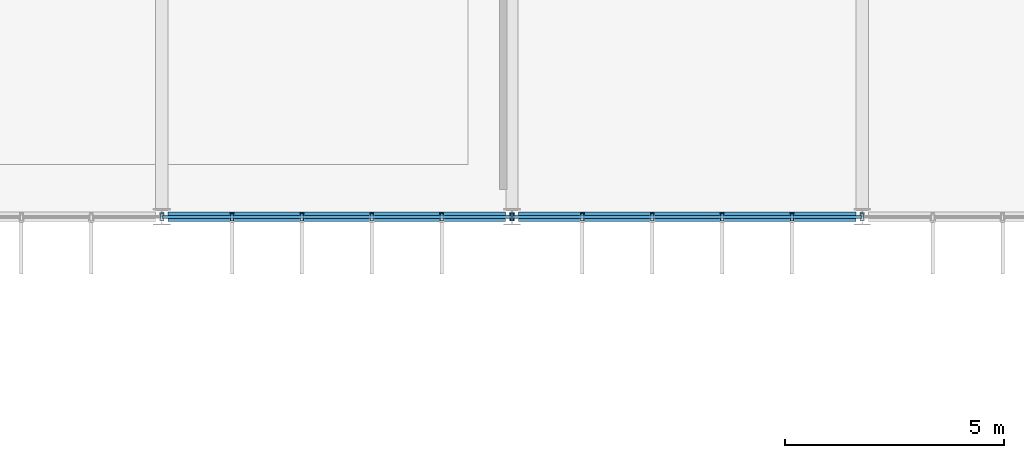
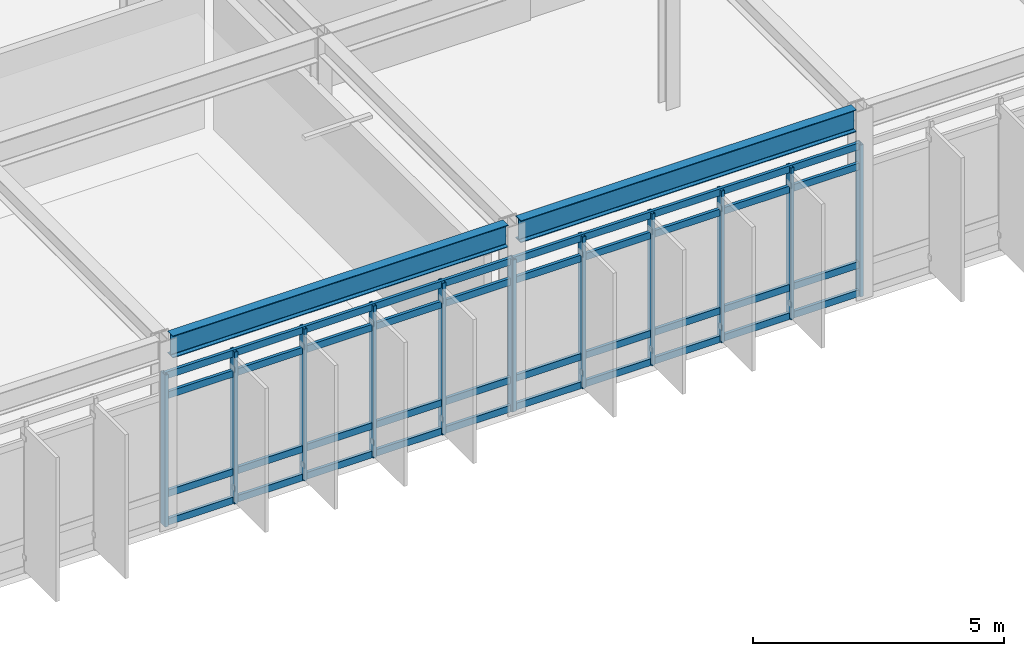
# One storey, part 42 of 100: 20 members, 2 beams, 2 elements without a shape of their own.
"""IFC4 building model written with IfcOpenShell, lengths in metres."""

from ifc_helpers import new_model, si_unit, direction, frame, origin, origin_2d, place, context, subcontext, project, spatial, hollow_rectangle, i_section, extrude, material, material_profile, profile_set, type_object, element, aggregate, save


model = new_model("IFC4")

# Units and contexts
model_context = context("Model", 3, precision=1e-05, world=origin(), true_north=direction((0.0, 1.0)))
body_context = subcontext(model_context, "Body", "Model", "MODEL_VIEW")
ifc_project = project(units=[si_unit("LENGTHUNIT", "METRE"), si_unit("AREAUNIT", "SQUARE_METRE"), si_unit("VOLUMEUNIT", "CUBIC_METRE"), si_unit("PLANEANGLEUNIT", "RADIAN"), si_unit("MASSUNIT", "GRAM", prefix="KILO")], contexts=[model_context])

# Site, building, storey
site_placement = place(None, origin())
site = spatial("IfcSite", under=ifc_project, at=site_placement, CompositionType="ELEMENT")
building_placement = place(site_placement, origin())
building = spatial("IfcBuilding", under=site, at=building_placement, Name="Zulena Civic Courthouse", CompositionType="ELEMENT")
storey_placement = place(building_placement, frame((0.0, 0.0, 20.39990234375)))
storey = spatial("IfcBuildingStorey", under=building, at=storey_placement, Name="L04", CompositionType="ELEMENT", Elevation=20.39990234375)

# Curtain wall, members
ifc_material_1 = material(Name="Double-silver low-E laminated solar-control glass", Category="glass")
curtain_wall_type = type_object("IfcCurtainWallType", Name="CW_7976x3690", PredefinedType="USERDEFINED", material=ifc_material_1)
curtain_wall_1_placement = place(storey_placement, origin())
curtain_wall_1 = element("IfcCurtainWall", 1, at=curtain_wall_1_placement, inside=storey, type_object=curtain_wall_type, Name="cw:V4:L04:3:1", ObjectType="UNITISED CURTAIN WALL", PredefinedType="USERDEFINED")
ifc_material_2 = material(Name="Bronze anodised thermally broken aluminium AA6063-T6", Category="aluminium")
ifc_material_profile_1 = material_profile(ifc_material_2, hollow_rectangle(XDim=0.074951171875, YDim=0.179931640625, WallThickness=0.0048828125, at=origin_2d()), Name="CWM180X75X5")
ifc_profile_set_1 = profile_set([ifc_material_profile_1], Name="Bronze anodised thermally broken aluminium AA6063-T6")
member_type_1 = type_object("IfcMemberType", Name="CWMullion_180x75", PredefinedType="MULLION", material=ifc_profile_set_1)
member_1_placement = place(storey_placement, frame((115.988037109375, 15.199951171875, 0.0), z_axis=(0.0, 0.0, 1.0), x_axis=(1.0, 0.0, 0.0)))
member_1 = element("IfcMember", 2, at=member_1_placement, type_object=member_type_1, Name="cw:V4:L04:3:1:mull:0", PredefinedType="MULLION", context=body_context, shape_type="SweptSolid", body=[
    extrude(hollow_rectangle(XDim=0.074951171875, YDim=0.179931640625, WallThickness=0.0048828125, at=origin_2d()), origin(), (0.0, 0.0, 1.0), 3.690185546875),
])
member_2_placement = place(storey_placement, frame((114.392822265625, 15.199951171875, 0.0), z_axis=(0.0, 0.0, 1.0), x_axis=(1.0, 0.0, 0.0)))
member_2 = element("IfcMember", 3, at=member_2_placement, type_object=member_type_1, Name="cw:V4:L04:3:1:mull:1", PredefinedType="MULLION", context=body_context, shape_type="SweptSolid", body=[
    extrude(hollow_rectangle(XDim=0.074951171875, YDim=0.179931640625, WallThickness=0.0048828125, at=origin_2d()), origin(), (0.0, 0.0, 1.0), 3.690185546875),
])
member_3_placement = place(storey_placement, frame((112.797607421875, 15.199951171875, 0.0), z_axis=(0.0, 0.0, 1.0), x_axis=(1.0, 0.0, 0.0)))
member_3 = element("IfcMember", 4, at=member_3_placement, type_object=member_type_1, Name="cw:V4:L04:3:1:mull:2", PredefinedType="MULLION", context=body_context, shape_type="SweptSolid", body=[
    extrude(hollow_rectangle(XDim=0.074951171875, YDim=0.179931640625, WallThickness=0.0048828125, at=origin_2d()), origin(), (0.0, 0.0, 1.0), 3.690185546875),
])
member_4_placement = place(storey_placement, frame((111.202392578125, 15.199951171875, 0.0), z_axis=(0.0, 0.0, 1.0), x_axis=(1.0, 0.0, 0.0)))
member_4 = element("IfcMember", 5, at=member_4_placement, type_object=member_type_1, Name="cw:V4:L04:3:1:mull:3", PredefinedType="MULLION", context=body_context, shape_type="SweptSolid", body=[
    extrude(hollow_rectangle(XDim=0.074951171875, YDim=0.179931640625, WallThickness=0.0048828125, at=origin_2d()), origin(), (0.0, 0.0, 1.0), 3.690185546875),
])
member_5_placement = place(storey_placement, frame((109.607177734375, 15.199951171875, 0.0), z_axis=(0.0, 0.0, 1.0), x_axis=(1.0, 0.0, 0.0)))
member_5 = element("IfcMember", 6, at=member_5_placement, type_object=member_type_1, Name="cw:V4:L04:3:1:mull:4", PredefinedType="MULLION", context=body_context, shape_type="SweptSolid", body=[
    extrude(hollow_rectangle(XDim=0.074951171875, YDim=0.179931640625, WallThickness=0.0048828125, at=origin_2d()), origin(), (0.0, 0.0, 1.0), 3.690185546875),
])
member_6_placement = place(storey_placement, frame((108.011962890625, 15.199951171875, 0.0), z_axis=(0.0, 0.0, 1.0), x_axis=(1.0, 0.0, 0.0)))
member_6 = element("IfcMember", 7, at=member_6_placement, type_object=member_type_1, Name="cw:V4:L04:3:1:mull:5", PredefinedType="MULLION", context=body_context, shape_type="SweptSolid", body=[
    extrude(hollow_rectangle(XDim=0.074951171875, YDim=0.179931640625, WallThickness=0.0048828125, at=origin_2d()), origin(), (0.0, 0.0, 1.0), 3.690185546875),
])

curtain_wall_2_placement = place(storey_placement, origin())
curtain_wall_2 = element("IfcCurtainWall", 8, at=curtain_wall_2_placement, inside=storey, type_object=curtain_wall_type, Name="cw:V4:L04:3:2", ObjectType="UNITISED CURTAIN WALL", PredefinedType="USERDEFINED")
member_7_placement = place(storey_placement, frame((107.988037109375, 15.199951171875, 0.0), z_axis=(0.0, 0.0, 1.0), x_axis=(1.0, 0.0, 0.0)))
member_7 = element("IfcMember", 9, at=member_7_placement, type_object=member_type_1, Name="cw:V4:L04:3:2:mull:0", PredefinedType="MULLION", context=body_context, shape_type="SweptSolid", body=[
    extrude(hollow_rectangle(XDim=0.074951171875, YDim=0.179931640625, WallThickness=0.0048828125, at=origin_2d()), origin(), (0.0, 0.0, 1.0), 3.690185546875),
])
member_8_placement = place(storey_placement, frame((106.392822265625, 15.199951171875, 0.0), z_axis=(0.0, 0.0, 1.0), x_axis=(1.0, 0.0, 0.0)))
member_8 = element("IfcMember", 10, at=member_8_placement, type_object=member_type_1, Name="cw:V4:L04:3:2:mull:1", PredefinedType="MULLION", context=body_context, shape_type="SweptSolid", body=[
    extrude(hollow_rectangle(XDim=0.074951171875, YDim=0.179931640625, WallThickness=0.0048828125, at=origin_2d()), origin(), (0.0, 0.0, 1.0), 3.690185546875),
])
member_9_placement = place(storey_placement, frame((104.797607421875, 15.199951171875, 0.0), z_axis=(0.0, 0.0, 1.0), x_axis=(1.0, 0.0, 0.0)))
member_9 = element("IfcMember", 11, at=member_9_placement, type_object=member_type_1, Name="cw:V4:L04:3:2:mull:2", PredefinedType="MULLION", context=body_context, shape_type="SweptSolid", body=[
    extrude(hollow_rectangle(XDim=0.074951171875, YDim=0.179931640625, WallThickness=0.0048828125, at=origin_2d()), origin(), (0.0, 0.0, 1.0), 3.690185546875),
])
member_10_placement = place(storey_placement, frame((103.202392578125, 15.199951171875, 0.0), z_axis=(0.0, 0.0, 1.0), x_axis=(1.0, 0.0, 0.0)))
member_10 = element("IfcMember", 12, at=member_10_placement, type_object=member_type_1, Name="cw:V4:L04:3:2:mull:3", PredefinedType="MULLION", context=body_context, shape_type="SweptSolid", body=[
    extrude(hollow_rectangle(XDim=0.074951171875, YDim=0.179931640625, WallThickness=0.0048828125, at=origin_2d()), origin(), (0.0, 0.0, 1.0), 3.690185546875),
])
member_11_placement = place(storey_placement, frame((101.607177734375, 15.199951171875, 0.0), z_axis=(0.0, 0.0, 1.0), x_axis=(1.0, 0.0, 0.0)))
member_11 = element("IfcMember", 13, at=member_11_placement, type_object=member_type_1, Name="cw:V4:L04:3:2:mull:4", PredefinedType="MULLION", context=body_context, shape_type="SweptSolid", body=[
    extrude(hollow_rectangle(XDim=0.074951171875, YDim=0.179931640625, WallThickness=0.0048828125, at=origin_2d()), origin(), (0.0, 0.0, 1.0), 3.690185546875),
])
member_12_placement = place(storey_placement, frame((100.011962890625, 15.199951171875, 0.0), z_axis=(0.0, 0.0, 1.0), x_axis=(1.0, 0.0, 0.0)))
member_12 = element("IfcMember", 14, at=member_12_placement, type_object=member_type_1, Name="cw:V4:L04:3:2:mull:5", PredefinedType="MULLION", context=body_context, shape_type="SweptSolid", body=[
    extrude(hollow_rectangle(XDim=0.074951171875, YDim=0.179931640625, WallThickness=0.0048828125, at=origin_2d()), origin(), (0.0, 0.0, 1.0), 3.690185546875),
])

# Member
ifc_material_profile_2 = material_profile(ifc_material_2, hollow_rectangle(XDim=0.070068359375, YDim=0.1650390625, WallThickness=0.00390625, at=origin_2d()), Name="CWT165X70X4")
ifc_profile_set_2 = profile_set([ifc_material_profile_2], Name="Bronze anodised thermally broken aluminium AA6063-T6")
member_type_2 = type_object("IfcMemberType", Name="CWTransom_165x70", PredefinedType="USERDEFINED", material=ifc_profile_set_2)
member_13_placement = place(storey_placement, frame((115.988037109375, 15.199951171875, 0.06005859375), z_axis=(-1.0, 0.0, 0.0), x_axis=(0.0, -1.0, 0.0)))
member_13 = element("IfcMember", 15, at=member_13_placement, type_object=member_type_2, Name="cw:V4:L04:3:1:tran:0", ObjectType="TRANSOM", PredefinedType="USERDEFINED", context=body_context, shape_type="SweptSolid", body=[
    extrude(hollow_rectangle(XDim=0.070068359375, YDim=0.1650390625, WallThickness=0.00390625, at=origin_2d()), origin(), (0.0, 0.0, 1.0), 7.97607421875),
])

member_14_placement = place(storey_placement, frame((115.988037109375, 15.199951171875, 0.75), z_axis=(-1.0, 0.0, 0.0), x_axis=(0.0, -1.0, 0.0)))
member_14 = element("IfcMember", 16, at=member_14_placement, type_object=member_type_2, Name="cw:V4:L04:3:1:tran:1", ObjectType="TRANSOM", PredefinedType="USERDEFINED", context=body_context, shape_type="SweptSolid", body=[
    extrude(hollow_rectangle(XDim=0.070068359375, YDim=0.1650390625, WallThickness=0.00390625, at=origin_2d()), origin(), (0.0, 0.0, 1.0), 7.97607421875),
])

member_15_placement = place(storey_placement, frame((115.988037109375, 15.199951171875, 3.14013671875), z_axis=(-1.0, 0.0, 0.0), x_axis=(0.0, -1.0, 0.0)))
member_15 = element("IfcMember", 17, at=member_15_placement, type_object=member_type_2, Name="cw:V4:L04:3:1:tran:2", ObjectType="TRANSOM", PredefinedType="USERDEFINED", context=body_context, shape_type="SweptSolid", body=[
    extrude(hollow_rectangle(XDim=0.070068359375, YDim=0.1650390625, WallThickness=0.00390625, at=origin_2d()), origin(), (0.0, 0.0, 1.0), 7.97607421875),
])

member_16_placement = place(storey_placement, frame((115.988037109375, 15.199951171875, 3.630126953125), z_axis=(-1.0, 0.0, 0.0), x_axis=(0.0, -1.0, 0.0)))
member_16 = element("IfcMember", 18, at=member_16_placement, type_object=member_type_2, Name="cw:V4:L04:3:1:tran:3", ObjectType="TRANSOM", PredefinedType="USERDEFINED", context=body_context, shape_type="SweptSolid", body=[
    extrude(hollow_rectangle(XDim=0.070068359375, YDim=0.1650390625, WallThickness=0.00390625, at=origin_2d()), origin(), (0.0, 0.0, 1.0), 7.97607421875),
])

aggregate(curtain_wall_1, [member_1, member_2, member_3, member_4, member_5, member_6, member_13, member_14, member_15, member_16])

member_17_placement = place(storey_placement, frame((107.988037109375, 15.199951171875, 0.06005859375), z_axis=(-1.0, 0.0, 0.0), x_axis=(0.0, -1.0, 0.0)))
member_17 = element("IfcMember", 19, at=member_17_placement, type_object=member_type_2, Name="cw:V4:L04:3:2:tran:0", ObjectType="TRANSOM", PredefinedType="USERDEFINED", context=body_context, shape_type="SweptSolid", body=[
    extrude(hollow_rectangle(XDim=0.070068359375, YDim=0.1650390625, WallThickness=0.00390625, at=origin_2d()), origin(), (0.0, 0.0, 1.0), 7.97607421875),
])

member_18_placement = place(storey_placement, frame((107.988037109375, 15.199951171875, 0.75), z_axis=(-1.0, 0.0, 0.0), x_axis=(0.0, -1.0, 0.0)))
member_18 = element("IfcMember", 20, at=member_18_placement, type_object=member_type_2, Name="cw:V4:L04:3:2:tran:1", ObjectType="TRANSOM", PredefinedType="USERDEFINED", context=body_context, shape_type="SweptSolid", body=[
    extrude(hollow_rectangle(XDim=0.070068359375, YDim=0.1650390625, WallThickness=0.00390625, at=origin_2d()), origin(), (0.0, 0.0, 1.0), 7.97607421875),
])

member_19_placement = place(storey_placement, frame((107.988037109375, 15.199951171875, 3.14013671875), z_axis=(-1.0, 0.0, 0.0), x_axis=(0.0, -1.0, 0.0)))
member_19 = element("IfcMember", 21, at=member_19_placement, type_object=member_type_2, Name="cw:V4:L04:3:2:tran:2", ObjectType="TRANSOM", PredefinedType="USERDEFINED", context=body_context, shape_type="SweptSolid", body=[
    extrude(hollow_rectangle(XDim=0.070068359375, YDim=0.1650390625, WallThickness=0.00390625, at=origin_2d()), origin(), (0.0, 0.0, 1.0), 7.97607421875),
])

member_20_placement = place(storey_placement, frame((107.988037109375, 15.199951171875, 3.630126953125), z_axis=(-1.0, 0.0, 0.0), x_axis=(0.0, -1.0, 0.0)))
member_20 = element("IfcMember", 22, at=member_20_placement, type_object=member_type_2, Name="cw:V4:L04:3:2:tran:3", ObjectType="TRANSOM", PredefinedType="USERDEFINED", context=body_context, shape_type="SweptSolid", body=[
    extrude(hollow_rectangle(XDim=0.070068359375, YDim=0.1650390625, WallThickness=0.00390625, at=origin_2d()), origin(), (0.0, 0.0, 1.0), 7.97607421875),
])

aggregate(curtain_wall_2, [member_7, member_8, member_9, member_10, member_11, member_12, member_17, member_18, member_19, member_20])

# Beams
ifc_material_3 = material(Name="Steel ASTM A992 Grade 50", Category="steel")
ifc_material_profile_3 = material_profile(ifc_material_3, i_section(OverallWidth=0.2099609375, OverallDepth=0.537109375, WebThickness=0.010986328125, FlangeThickness=0.017333984375, FilletRadius=0.0126953125, at=origin_2d()), Name="W21X68")
ifc_profile_set_3 = profile_set([ifc_material_profile_3], Name="Steel ASTM A992 Grade 50")
beam_type = type_object("IfcBeamType", Name="Spandrel_W21X68", PredefinedType="SPANDREL", material=ifc_profile_set_3)
for number, where, z_axis, x_axis, name in (
    (23, (100.14501953125, 15.199951171875, 4.32666015625), (1.0, 0.0, 0.0), (0.0, 1.0, 0.0), "beam:X:V4:L04:15.2:100.0_108.0"),
    (24, (108.14501953125, 15.199951171875, 4.32666015625), (1.0, 0.0, 0.0), (0.0, 1.0, 0.0), "beam:X:V4:L04:15.2:108.0_116.0"),
):
    element("IfcBeam", number, at=place(storey_placement, frame(where, z_axis=z_axis, x_axis=x_axis)), inside=storey, type_object=beam_type, Name=name, PredefinedType="SPANDREL", context=body_context, shape_type="SweptSolid", body=[
        extrude(i_section(OverallWidth=0.2099609375, OverallDepth=0.537109375, WebThickness=0.010986328125, FlangeThickness=0.017333984375, FilletRadius=0.0126953125, at=origin_2d()), origin(), (0.0, 0.0, 1.0), 7.7099609375),
    ])

save(model, "model.ifc")
